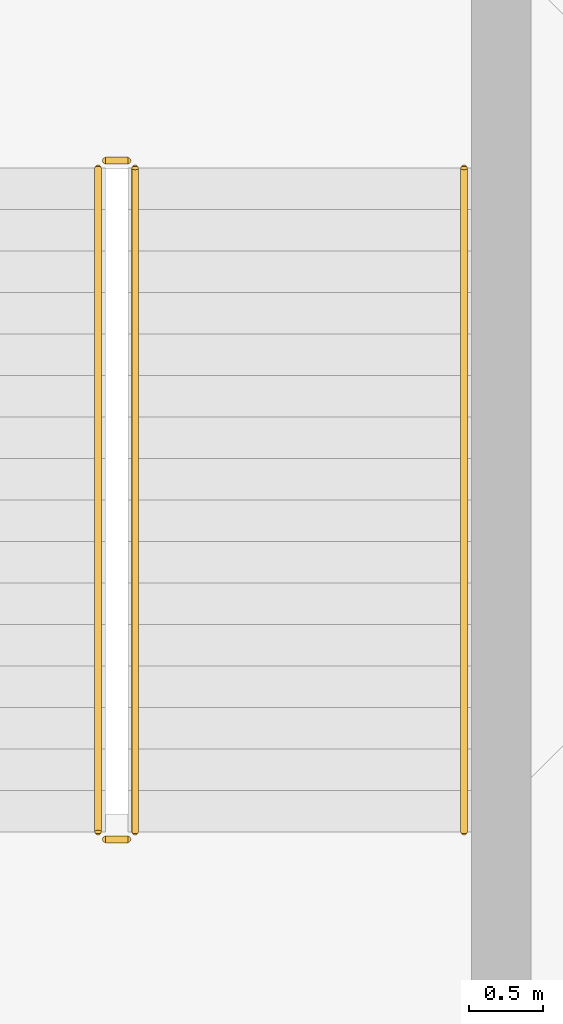
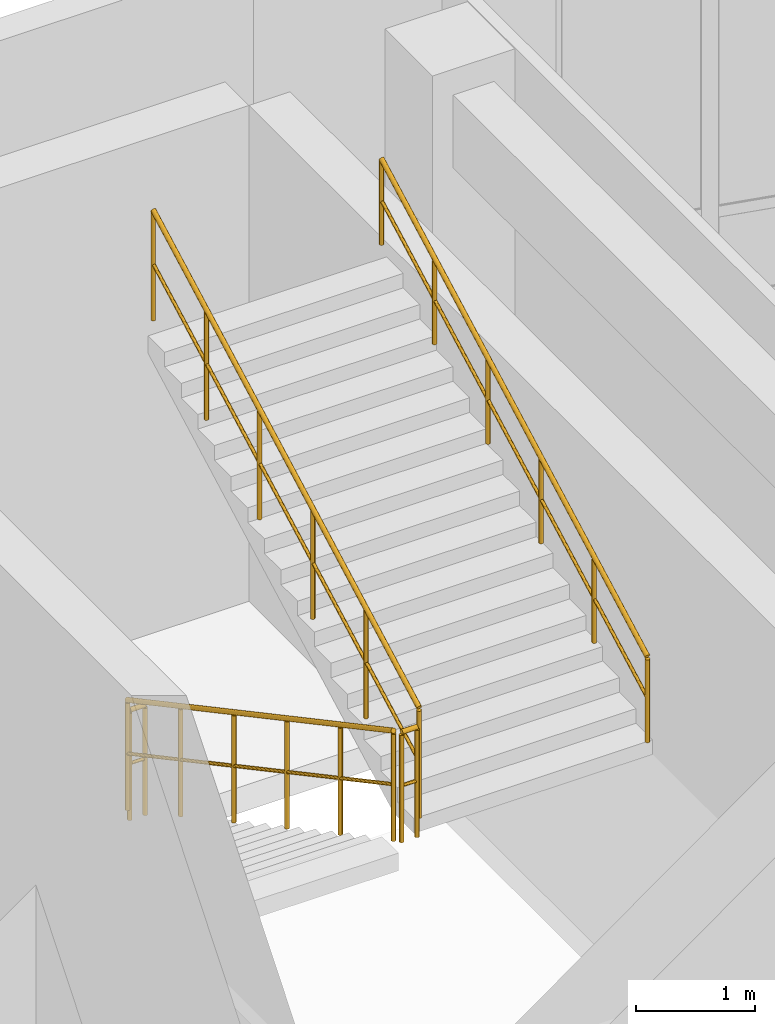
# One storey, part 95 of 96: 5 railings.
"""IFC4 building model written with IfcOpenShell, lengths in metres."""

import ifcopenshell
import ifcopenshell.guid

model = None  # the IFC model being written
_history = None  # IfcOwnerHistory: only IFC2X3 demands one
_inside = {}  # id of a spatial element -> (the spatial element, [elements in it])
_under = {}  # id of a project, library or spatial element -> (it, [spatial elements below it])
_declared = {}  # id of a project -> (the project, [libraries it declares])
_typed = {}  # id of a type object -> (the type object, [elements of that type])
_made_of = {}  # id of a material, layer set ... -> (it, [elements and type objects made of it])


def new_model(schema):
    """Start an empty IFC model of exactly this schema.

    Asked for "IFC4X3", IfcOpenShell would pick the latest addendum, in which some entities
    have other attributes; the version numbers below select the first issue.
    IFC2X3 requires an IfcOwnerHistory on every rooted entity: one is made here for all.
    """
    global model, _history
    if schema == "IFC4X3":
        model = ifcopenshell.file(schema_version=(4, 3, 0, 0))
    else:
        model = ifcopenshell.file(schema=schema)
    _inside.clear()
    _under.clear()
    _declared.clear()
    _typed.clear()
    _made_of.clear()
    _history = None
    if model.schema == "IFC2X3":
        org = make("IfcOrganization", Name="unknown")
        user = make(
            "IfcPersonAndOrganization",
            ThePerson=make("IfcPerson", FamilyName="unknown"),
            TheOrganization=org,
        )
        app = make(
            "IfcApplication",
            ApplicationDeveloper=org,
            Version="unknown",
            ApplicationFullName="unknown",
            ApplicationIdentifier="unknown",
        )
        _history = make(
            "IfcOwnerHistory",
            OwningUser=user,
            OwningApplication=app,
            ChangeAction="ADDED",
            CreationDate=0,
        )
    return model


def make(cls, **values):
    """One entity of the class cls with the attributes given. An attribute that is None is left unset."""
    return model.create_entity(
        cls, **{name: value for name, value in values.items() if value is not None}
    )


def rooted(cls, **values):
    """An entity with a GlobalId (a new one), such as an element, a storey or a relation."""
    return make(cls, GlobalId=ifcopenshell.guid.new(), OwnerHistory=_history, **values)


def si_unit(unit_type, name, prefix=None):
    """IfcSIUnit, for example si_unit("LENGTHUNIT", "METRE", prefix="MILLI")."""
    return make("IfcSIUnit", UnitType=unit_type, Prefix=prefix, Name=name)


def derived_unit(unit_type, elements):
    """IfcDerivedUnit: a product of units, each with its exponent."""
    return make(
        "IfcDerivedUnit",
        Elements=[
            make("IfcDerivedUnitElement", Unit=unit, Exponent=power)
            for unit, power in elements
        ],
        UnitType=unit_type,
    )


def assignment(units):
    """IfcUnitAssignment: the units of a project."""
    return None if units is None else make("IfcUnitAssignment", Units=units)


def point(xyz):
    """IfcCartesianPoint."""
    return None if xyz is None else make("IfcCartesianPoint", Coordinates=xyz)


def direction(xyz):
    """IfcDirection."""
    return None if xyz is None else make("IfcDirection", DirectionRatios=xyz)


def frame(location, z_axis=None, x_axis=None):
    """IfcAxis2Placement3D, a coordinate frame: its origin and axes. An axis left out is left unset."""
    return make(
        "IfcAxis2Placement3D",
        Location=point(location),
        Axis=direction(z_axis),
        RefDirection=direction(x_axis),
    )


def frame_2d(location, x_axis=None):
    """IfcAxis2Placement2D, a coordinate frame in the plane: its origin and x axis."""
    return make(
        "IfcAxis2Placement2D", Location=point(location), RefDirection=direction(x_axis)
    )


def origin():
    """The frame at (0, 0, 0) with its axes left unset."""
    return frame((0.0, 0.0, 0.0))


def origin_2d():
    """The frame at (0, 0) in the plane with its x axis left unset."""
    return frame_2d((0.0, 0.0))


def place(relative_to, where):
    """IfcLocalPlacement: puts the frame where relative to a parent placement (None: the world)."""
    return make(
        "IfcLocalPlacement", PlacementRelTo=relative_to, RelativePlacement=where
    )


def context(
    kind, dimensions, precision=None, world=None, true_north=None, identifier=None
):
    """IfcGeometricRepresentationContext, for example the 3D "Model" context."""
    return make(
        "IfcGeometricRepresentationContext",
        ContextIdentifier=identifier,
        ContextType=kind,
        CoordinateSpaceDimension=dimensions,
        Precision=precision,
        WorldCoordinateSystem=world,
        TrueNorth=true_north,
    )


def subcontext(parent, identifier, kind, view, scale=None):
    """IfcGeometricRepresentationSubContext, for example "Body" below "Model"."""
    return make(
        "IfcGeometricRepresentationSubContext",
        ContextIdentifier=identifier,
        ContextType=kind,
        ParentContext=parent,
        TargetScale=scale,
        TargetView=view,
    )


def project(units=None, contexts=None):
    """IfcProject with its units and contexts."""
    return rooted(
        "IfcProject",
        Name="project",
        RepresentationContexts=contexts,
        UnitsInContext=assignment(units),
    )


def spatial(cls, under=None, at=None, **own):
    """A site, building, storey or space (cls), placed at a placement, below another one or the project."""
    s = rooted(cls, ObjectPlacement=at, **own)
    if under is not None:
        _under.setdefault(under.id(), (under, []))[1].append(s)
    return s


def profile(cls, at=None, kind="AREA", **sizes):
    """A parametric profile (cls). Its sizes go by their IFC names, for example OverallWidth=200.0."""
    return make(cls, ProfileType=kind, Position=at, **sizes)


def circle(**sizes):
    """IfcCircleProfileDef."""
    return profile("IfcCircleProfileDef", **sizes)


def extrude(swept, where, along, depth):
    """IfcExtrudedAreaSolid: the profile swept, set in the frame where, extruded along a direction by depth."""
    return make(
        "IfcExtrudedAreaSolid",
        SweptArea=swept,
        Position=where,
        ExtrudedDirection=direction(along),
        Depth=depth,
    )


def shape(context_of_items, identifier, shape_type, items):
    """IfcShapeRepresentation: the items that make up one representation, for example the "Body"."""
    return make(
        "IfcShapeRepresentation",
        ContextOfItems=context_of_items,
        RepresentationIdentifier=identifier,
        RepresentationType=shape_type,
        Items=items,
    )


def material(Name=None, Category=None):
    """IfcMaterial."""
    return make("IfcMaterial", Name=Name, Category=Category)


def made_of(thing, what):
    """Note that an element or type object is made of a material, layer set ...; save() writes the relation."""
    if what is not None:
        _made_of.setdefault(what.id(), (what, []))[1].append(thing)
    return thing


def type_object(cls, material=None, **own):
    """A type object (cls), such as IfcWallType, which elements share."""
    return made_of(rooted(cls, **own), material)


def element(
    cls,
    number,
    at=None,
    inside=None,
    cuts=None,
    type_object=None,
    material=None,
    context=None,
    identifier="Body",
    shape_type=None,
    held_by="IfcProductDefinitionShape",
    body=None,
    shapes=None,
    **own,
):
    """One element of the class cls, such as IfcWall. Its Tag is "e" and its number.

    at: its placement. inside: the storey or other place that contains it. cuts: it is an
    opening in that element (IfcRelVoidsElement). A single representation is given by context,
    identifier, shape_type and body (its items); several are given by shapes. held_by: the class
    of the entity that holds the representations. save() writes the other relations.
    """
    e = rooted(cls, Tag="e%d" % number, ObjectPlacement=at, **own)
    if body is not None:
        shapes = [shape(context, identifier, shape_type, body)]
    if shapes is not None:
        e.Representation = make(held_by, Representations=shapes)
    if inside is not None:
        _inside.setdefault(inside.id(), (inside, []))[1].append(e)
    if cuts is not None:
        rooted(
            "IfcRelVoidsElement", RelatingBuildingElement=cuts, RelatedOpeningElement=e
        )
    if type_object is not None:
        _typed.setdefault(type_object.id(), (type_object, []))[1].append(e)
    return made_of(e, material)


def aggregate(whole, parts):
    """IfcRelAggregates: a whole, such as a stair, and the parts it consists of."""
    return rooted("IfcRelAggregates", RelatingObject=whole, RelatedObjects=parts)


def save(model, path):
    """Write the relations noted so far, then the file.

    IfcRelAggregates (storeys below a building ...), IfcRelContainedInSpatialStructure (elements
    in a storey), IfcRelDefinesByType, IfcRelAssociatesMaterial and IfcRelDeclares: one each for
    every whole, place, type object, material and project.
    """
    for whole, parts in _under.values():
        aggregate(whole, parts)
    for where, things in _inside.values():
        rooted(
            "IfcRelContainedInSpatialStructure",
            RelatedElements=things,
            RelatingStructure=where,
        )
    for kind, things in _typed.values():
        rooted("IfcRelDefinesByType", RelatedObjects=things, RelatingType=kind)
    for what, things in _made_of.values():
        rooted("IfcRelAssociatesMaterial", RelatedObjects=things, RelatingMaterial=what)
    for by, libraries in _declared.values():
        rooted("IfcRelDeclares", RelatingContext=by, RelatedDefinitions=libraries)
    model.write(path)


model = new_model("IFC4")

# Units and contexts
model_context = context("Model", 3, precision=1e-05, world=origin(), true_north=direction((0.0, 1.0)))
body_context = subcontext(model_context, "Body", "Model", "MODEL_VIEW")
ifc_project = project(units=[si_unit("LENGTHUNIT", "METRE"), si_unit("AREAUNIT", "SQUARE_METRE"), si_unit("VOLUMEUNIT", "CUBIC_METRE"), si_unit("PLANEANGLEUNIT", "RADIAN"), si_unit("MASSUNIT", "GRAM", prefix="KILO"), derived_unit("THERMALTRANSMITTANCEUNIT", [(si_unit("MASSUNIT", "GRAM", prefix="KILO"), 1), (si_unit("TIMEUNIT", "SECOND"), -3), (si_unit("THERMODYNAMICTEMPERATUREUNIT", "KELVIN"), -1)])], contexts=[model_context])

# Site, building, storey
site_placement = place(None, origin())
site = spatial("IfcSite", under=ifc_project, at=site_placement, CompositionType="ELEMENT")
building_placement = place(site_placement, origin())
building = spatial("IfcBuilding", under=site, at=building_placement, Name="Qinzheling Arcade Emporium", CompositionType="ELEMENT")
storey_placement = place(building_placement, frame((0.0, 0.0, 21.60009765625)))
storey = spatial("IfcBuildingStorey", under=building, at=storey_placement, Name="L05", CompositionType="ELEMENT", Elevation=21.60009765625)

# Railings
ifc_material_1 = material(Name="Galvanised powder-coated tubular steel", Category="steel")
railing_type_1 = type_object("IfcRailingType", Name="Painted Steel Stairwell Guard Railing 1150", PredefinedType="GUARDRAIL", material=ifc_material_1)
railing_1_placement = place(storey_placement, frame((117.324951171875, 104.47998046875, 0.14990234375)))
element("IfcRailing", 1, at=railing_1_placement, inside=storey, type_object=railing_type_1, Name="L05 ST08 stair guard 1", PredefinedType="GUARDRAIL", context=body_context, shape_type="SweptSolid", body=[
    extrude(circle(Radius=0.02392578125, at=origin_2d()), frame((0.0, 0.0, 1.1259765625), z_axis=(0.0, -0.881487111273, 0.472208081951), x_axis=(1.0, 0.0, 0.0)), (0.0, 0.0, 1.0), 5.082275390625),
    extrude(circle(Radius=0.01611328125, at=origin_2d()), frame((0.0, 0.0, 0.574951171875), z_axis=(0.0, -0.881487111273, 0.472208081951), x_axis=(1.0, 0.0, 0.0)), (0.0, 0.0, 1.0), 5.082275390625),
    extrude(circle(Radius=0.02099609375, at=origin_2d()), origin(), (0.0, 0.0, 1.0), 1.101806640625),
    extrude(circle(Radius=0.02099609375, at=origin_2d()), frame((0.0, -0.89599609375, 0.47998046875)), (0.0, 0.0, 1.0), 1.101806640625),
    extrude(circle(Radius=0.02099609375, at=origin_2d()), frame((0.0, -1.7919921875, 0.9599609375)), (0.0, 0.0, 1.0), 1.101806640625),
    extrude(circle(Radius=0.02099609375, at=origin_2d()), frame((0.0, -2.68798828125, 1.43994140625)), (0.0, 0.0, 1.0), 1.101806640625),
    extrude(circle(Radius=0.02099609375, at=origin_2d()), frame((0.0, -3.583984375, 1.919921875)), (0.0, 0.0, 1.0), 1.101806640625),
    extrude(circle(Radius=0.02099609375, at=origin_2d()), frame((0.0, -4.47998046875, 2.39990234375)), (0.0, 0.0, 1.0), 1.101806640625),
])
railing_2_placement = place(storey_placement, frame((117.375, 99.949951171875, 2.5498046875)))
element("IfcRailing", 2, at=railing_2_placement, inside=storey, type_object=railing_type_1, Name="L05 ST08 stair guard 2", PredefinedType="GUARDRAIL", context=body_context, shape_type="SweptSolid", body=[
    extrude(circle(Radius=0.02392578125, at=origin_2d()), frame((0.0, 0.0, 1.1259765625), z_axis=(1.0, 0.0, 0.0), x_axis=(0.0, 1.0, 0.0)), (0.0, 0.0, 1.0), 0.14990234375),
    extrude(circle(Radius=0.01611328125, at=origin_2d()), frame((0.0, 0.0, 0.574951171875), z_axis=(1.0, 0.0, 0.0), x_axis=(0.0, 1.0, 0.0)), (0.0, 0.0, 1.0), 0.14990234375),
    extrude(circle(Radius=0.02099609375, at=origin_2d()), origin(), (0.0, 0.0, 1.0), 1.101806640625),
    extrude(circle(Radius=0.02099609375, at=origin_2d()), frame((0.14990234375, 0.0, 0.0)), (0.0, 0.0, 1.0), 1.101806640625),
])
railing_3_placement = place(storey_placement, frame((117.574951171875, 100.0, 2.699951171875)))
element("IfcRailing", 3, at=railing_3_placement, inside=storey, type_object=railing_type_1, Name="L05 ST08 stair guard 3", PredefinedType="GUARDRAIL", context=body_context, shape_type="SweptSolid", body=[
    extrude(circle(Radius=0.02392578125, at=origin_2d()), frame((0.0, 0.0, 1.1259765625), z_axis=(0.0, 0.881487111273, 0.472208081951), x_axis=(-1.0, 0.0, 0.0)), (0.0, 0.0, 1.0), 5.082275390625),
    extrude(circle(Radius=0.01611328125, at=origin_2d()), frame((0.0, 0.0, 0.574951171875), z_axis=(0.0, 0.881487111273, 0.472208081951), x_axis=(-1.0, 0.0, 0.0)), (0.0, 0.0, 1.0), 5.082275390625),
    extrude(circle(Radius=0.02099609375, at=origin_2d()), origin(), (0.0, 0.0, 1.0), 1.101806640625),
    extrude(circle(Radius=0.02099609375, at=origin_2d()), frame((0.0, 0.89599609375, 0.47998046875)), (0.0, 0.0, 1.0), 1.101806640625),
    extrude(circle(Radius=0.02099609375, at=origin_2d()), frame((0.0, 1.7919921875, 0.9599609375)), (0.0, 0.0, 1.0), 1.101806640625),
    extrude(circle(Radius=0.02099609375, at=origin_2d()), frame((0.0, 2.68798828125, 1.43994140625)), (0.0, 0.0, 1.0), 1.101806640625),
    extrude(circle(Radius=0.02099609375, at=origin_2d()), frame((0.0, 3.583984375, 1.919921875)), (0.0, 0.0, 1.0), 1.101806640625),
    extrude(circle(Radius=0.02099609375, at=origin_2d()), frame((0.0, 4.47998046875, 2.39990234375)), (0.0, 0.0, 1.0), 1.101806640625),
])
railing_4_placement = place(storey_placement, frame((117.375, 104.530029296875, 0.0)))
element("IfcRailing", 4, at=railing_4_placement, inside=storey, type_object=railing_type_1, Name="L05 ST08 stair guard 4", PredefinedType="GUARDRAIL", context=body_context, shape_type="SweptSolid", body=[
    extrude(circle(Radius=0.02392578125, at=origin_2d()), frame((0.0, 0.0, 1.1259765625), z_axis=(1.0, 0.0, 0.0), x_axis=(0.0, 1.0, 0.0)), (0.0, 0.0, 1.0), 0.14990234375),
    extrude(circle(Radius=0.01611328125, at=origin_2d()), frame((0.0, 0.0, 0.574951171875), z_axis=(1.0, 0.0, 0.0), x_axis=(0.0, 1.0, 0.0)), (0.0, 0.0, 1.0), 0.14990234375),
    extrude(circle(Radius=0.02099609375, at=origin_2d()), origin(), (0.0, 0.0, 1.0), 1.101806640625),
    extrude(circle(Radius=0.02099609375, at=origin_2d()), frame((0.14990234375, 0.0, 0.0)), (0.0, 0.0, 1.0), 1.101806640625),
])
ifc_material_2 = material(Name="Brushed stainless steel 304", Category="steel")
railing_type_2 = type_object("IfcRailingType", Name="Stainless Steel Wall Handrail 900", PredefinedType="HANDRAIL", material=ifc_material_2)
railing_5_placement = place(storey_placement, frame((119.794921875, 100.0, 2.699951171875)))
element("IfcRailing", 5, at=railing_5_placement, inside=storey, type_object=railing_type_2, Name="L05 ST08 stair handrail 2", PredefinedType="HANDRAIL", context=body_context, shape_type="SweptSolid", body=[
    extrude(circle(Radius=0.02392578125, at=origin_2d()), frame((0.0, 0.0, 0.8759765625), z_axis=(0.0, 0.881487111273, 0.472208081951), x_axis=(-1.0, 0.0, 0.0)), (0.0, 0.0, 1.0), 5.082275390625),
    extrude(circle(Radius=0.01611328125, at=origin_2d()), frame((0.0, 0.0, 0.449951171875), z_axis=(0.0, 0.881487111273, 0.472208081951), x_axis=(-1.0, 0.0, 0.0)), (0.0, 0.0, 1.0), 5.082275390625),
    extrude(circle(Radius=0.02099609375, at=origin_2d()), origin(), (0.0, 0.0, 1.0), 0.851806640625),
    extrude(circle(Radius=0.02099609375, at=origin_2d()), frame((0.0, 0.89599609375, 0.47998046875)), (0.0, 0.0, 1.0), 0.851806640625),
    extrude(circle(Radius=0.02099609375, at=origin_2d()), frame((0.0, 1.7919921875, 0.9599609375)), (0.0, 0.0, 1.0), 0.851806640625),
    extrude(circle(Radius=0.02099609375, at=origin_2d()), frame((0.0, 2.68798828125, 1.43994140625)), (0.0, 0.0, 1.0), 0.851806640625),
    extrude(circle(Radius=0.02099609375, at=origin_2d()), frame((0.0, 3.583984375, 1.919921875)), (0.0, 0.0, 1.0), 0.851806640625),
    extrude(circle(Radius=0.02099609375, at=origin_2d()), frame((0.0, 4.47998046875, 2.39990234375)), (0.0, 0.0, 1.0), 0.851806640625),
])

save(model, "model.ifc")
